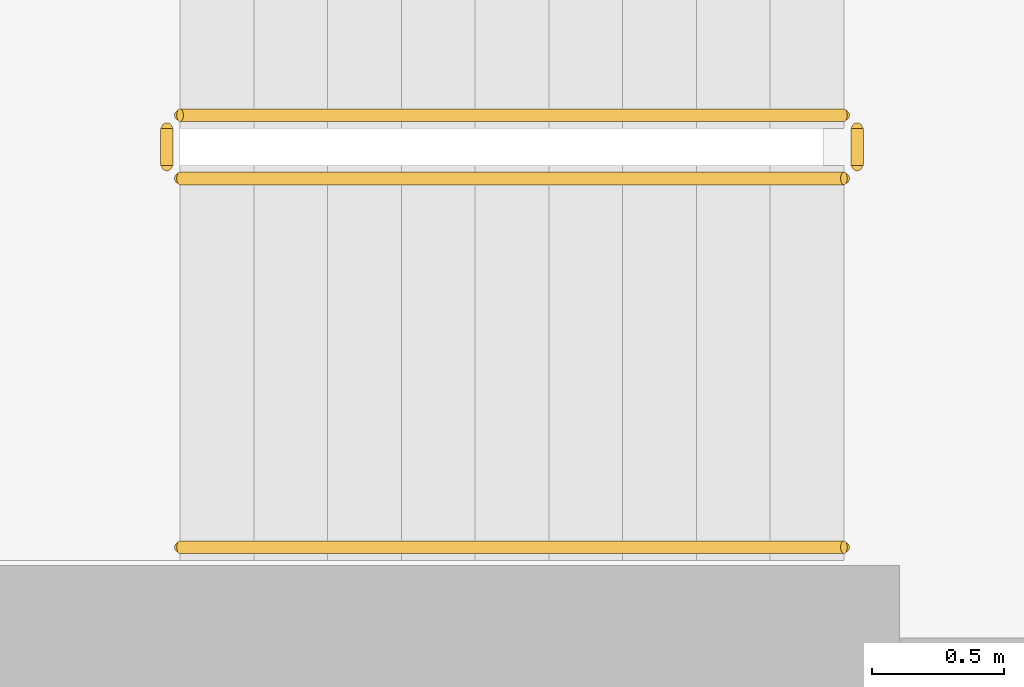
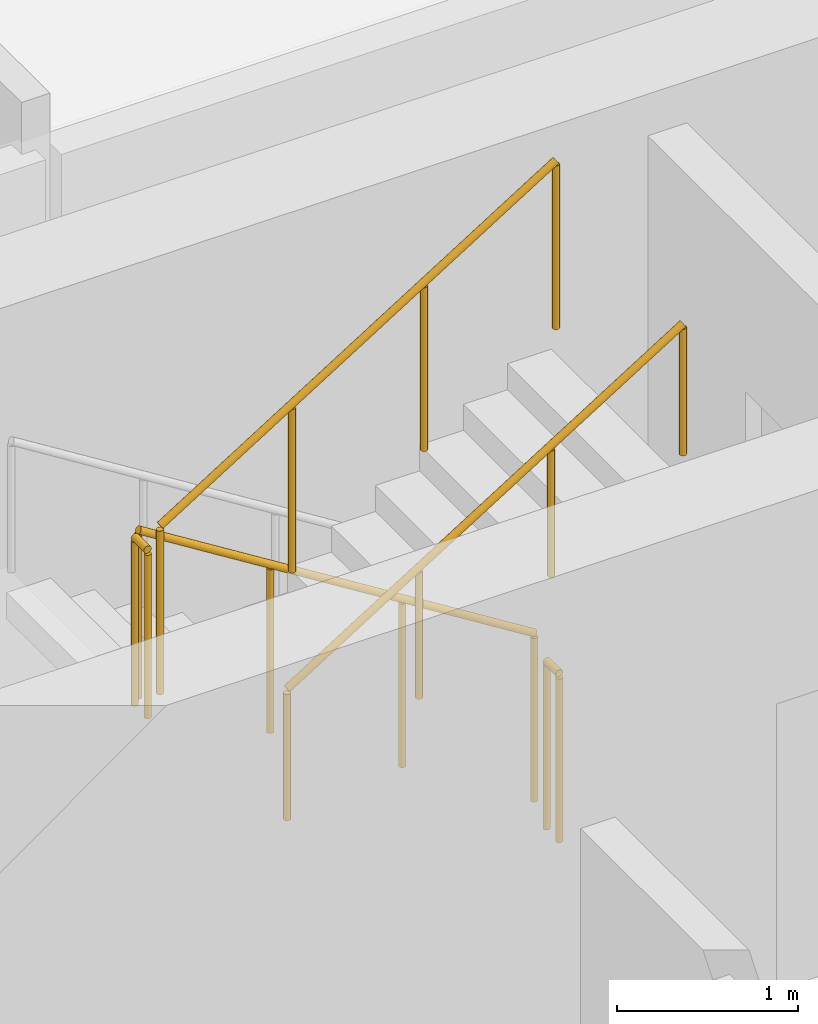
# One storey, part 24 of 26: 5 railings.
"""IFC4 building model written with IfcOpenShell, lengths in metres."""

from ifc_helpers import new_model, si_unit, derived_unit, direction, frame, origin, origin_2d, place, context, subcontext, project, spatial, circle, extrude, material, type_object, element, save


model = new_model("IFC4")

# Units and contexts
model_context = context("Model", 3, precision=1e-05, world=origin(), true_north=direction((0.0, 1.0)))
body_context = subcontext(model_context, "Body", "Model", "MODEL_VIEW")
ifc_project = project(units=[si_unit("LENGTHUNIT", "METRE"), si_unit("AREAUNIT", "SQUARE_METRE"), si_unit("VOLUMEUNIT", "CUBIC_METRE"), si_unit("PLANEANGLEUNIT", "RADIAN"), si_unit("MASSUNIT", "GRAM", prefix="KILO"), derived_unit("THERMALTRANSMITTANCEUNIT", [(si_unit("POWERUNIT", "WATT"), 1), (si_unit("LENGTHUNIT", "METRE"), -2), (si_unit("THERMODYNAMICTEMPERATUREUNIT", "KELVIN"), -1)])], contexts=[model_context])

# Site, building, storey
site_placement = place(None, origin())
site = spatial("IfcSite", under=ifc_project, at=site_placement, CompositionType="ELEMENT")
building_placement = place(site_placement, origin())
building = spatial("IfcBuilding", under=site, at=building_placement, Name="Kivonza Crest Hotel", CompositionType="ELEMENT")
storey_placement = place(building_placement, frame((0.0, 0.0, 52.0)))
storey = spatial("IfcBuildingStorey", under=building, at=storey_placement, Name="L13", CompositionType="ELEMENT", Elevation=52.0)

# Railings
ifc_material_1 = material(Name="Brushed stainless steel handrail", Category="steel")
railing_type_1 = type_object("IfcRailingType", Name="RL-HAND-900", PredefinedType="HANDRAIL", material=ifc_material_1)
railing_1_placement = place(storey_placement, frame((9.719970703125, 33.070068359375, 1.925048828125)))
element("IfcRailing", 1, at=railing_1_placement, inside=storey, type_object=railing_type_1, Name="L13 ST-T1-N stair handrail 2", PredefinedType="HANDRAIL", context=body_context, shape_type="SweptSolid", body=[
    extrude(circle(Radius=0.02392578125, at=origin_2d()), frame((0.0, 0.0, 0.8759765625), z_axis=(0.848007534815, 0.0, 0.529984170421), x_axis=(0.0, 1.0, 0.0)), (0.0, 0.0, 1.0), 2.9716796875),
    extrude(circle(Radius=0.02099609375, at=origin_2d()), origin(), (0.0, 0.0, 1.0), 0.851806640625),
    extrude(circle(Radius=0.02099609375, at=origin_2d()), frame((0.840087890625, 0.0, 0.52490234375)), (0.0, 0.0, 1.0), 0.851806640625),
    extrude(circle(Radius=0.02099609375, at=origin_2d()), frame((1.679931640625, 0.0, 1.050048828125)), (0.0, 0.0, 1.0), 0.851806640625),
    extrude(circle(Radius=0.02099609375, at=origin_2d()), frame((2.52001953125, 0.0, 1.574951171875)), (0.0, 0.0, 1.0), 0.851806640625),
])
ifc_material_2 = material(Name="Painted steel balustrade", Category="steel")
railing_type_2 = type_object("IfcRailingType", Name="RL-STAIR-1150", PredefinedType="BALUSTRADE", material=ifc_material_2)
railing_2_placement = place(storey_placement, frame((12.239990234375, 34.7099609375, 0.175048828125)))
element("IfcRailing", 2, at=railing_2_placement, inside=storey, type_object=railing_type_2, Name="L13 ST-T1-N stair guard 1", PredefinedType="BALUSTRADE", context=body_context, shape_type="SweptSolid", body=[
    extrude(circle(Radius=0.02392578125, at=origin_2d()), frame((0.0, 0.0, 1.1259765625), z_axis=(-0.848007534815, 0.0, 0.529984170421), x_axis=(0.0, -1.0, 0.0)), (0.0, 0.0, 1.0), 2.9716796875),
    extrude(circle(Radius=0.02099609375, at=origin_2d()), origin(), (0.0, 0.0, 1.0), 1.101806640625),
    extrude(circle(Radius=0.02099609375, at=origin_2d()), frame((-0.840087890625, 0.0, 0.52490234375)), (0.0, 0.0, 1.0), 1.101806640625),
    extrude(circle(Radius=0.02099609375, at=origin_2d()), frame((-1.679931640625, 0.0, 1.050048828125)), (0.0, 0.0, 1.0), 1.101806640625),
    extrude(circle(Radius=0.02099609375, at=origin_2d()), frame((-2.52001953125, 0.0, 1.574951171875)), (0.0, 0.0, 1.0), 1.101806640625),
])
railing_3_placement = place(storey_placement, frame((9.669921875, 34.659912109375, 1.75)))
element("IfcRailing", 3, at=railing_3_placement, inside=storey, type_object=railing_type_2, Name="L13 ST-T1-N stair guard 2", PredefinedType="BALUSTRADE", context=body_context, shape_type="SweptSolid", body=[
    extrude(circle(Radius=0.02392578125, at=origin_2d()), frame((0.0, 0.0, 1.1259765625), z_axis=(0.0, -1.0, 0.0), x_axis=(1.0, 0.0, 0.0)), (0.0, 0.0, 1.0), 0.139892578125),
    extrude(circle(Radius=0.02099609375, at=origin_2d()), origin(), (0.0, 0.0, 1.0), 1.101806640625),
    extrude(circle(Radius=0.02099609375, at=origin_2d()), frame((0.0, -0.139892578125, 0.0)), (0.0, 0.0, 1.0), 1.101806640625),
])
railing_4_placement = place(storey_placement, frame((9.719970703125, 34.469970703125, 1.925048828125)))
element("IfcRailing", 4, at=railing_4_placement, inside=storey, type_object=railing_type_2, Name="L13 ST-T1-N stair guard 3", PredefinedType="BALUSTRADE", context=body_context, shape_type="SweptSolid", body=[
    extrude(circle(Radius=0.02392578125, at=origin_2d()), frame((0.0, 0.0, 1.1259765625), z_axis=(0.848007534815, 0.0, 0.529984170421), x_axis=(0.0, 1.0, 0.0)), (0.0, 0.0, 1.0), 2.9716796875),
    extrude(circle(Radius=0.02099609375, at=origin_2d()), origin(), (0.0, 0.0, 1.0), 1.101806640625),
    extrude(circle(Radius=0.02099609375, at=origin_2d()), frame((0.840087890625, 0.0, 0.52490234375)), (0.0, 0.0, 1.0), 1.101806640625),
    extrude(circle(Radius=0.02099609375, at=origin_2d()), frame((1.679931640625, 0.0, 1.050048828125)), (0.0, 0.0, 1.0), 1.101806640625),
    extrude(circle(Radius=0.02099609375, at=origin_2d()), frame((2.52001953125, 0.0, 1.574951171875)), (0.0, 0.0, 1.0), 1.101806640625),
])
railing_5_placement = place(storey_placement, frame((12.2900390625, 34.659912109375, 0.0)))
element("IfcRailing", 5, at=railing_5_placement, inside=storey, type_object=railing_type_2, Name="L13 ST-T1-N stair guard 4", PredefinedType="BALUSTRADE", context=body_context, shape_type="SweptSolid", body=[
    extrude(circle(Radius=0.02392578125, at=origin_2d()), frame((0.0, 0.0, 1.1259765625), z_axis=(0.0, -1.0, 0.0), x_axis=(1.0, 0.0, 0.0)), (0.0, 0.0, 1.0), 0.139892578125),
    extrude(circle(Radius=0.02099609375, at=origin_2d()), origin(), (0.0, 0.0, 1.0), 1.101806640625),
    extrude(circle(Radius=0.02099609375, at=origin_2d()), frame((0.0, -0.139892578125, 0.0)), (0.0, 0.0, 1.0), 1.101806640625),
])

save(model, "model.ifc")
